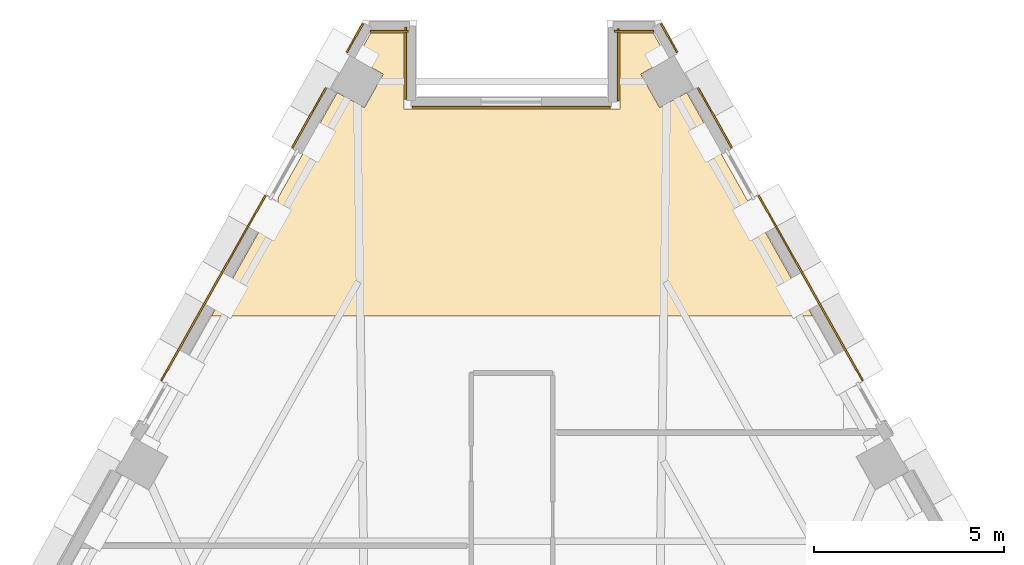
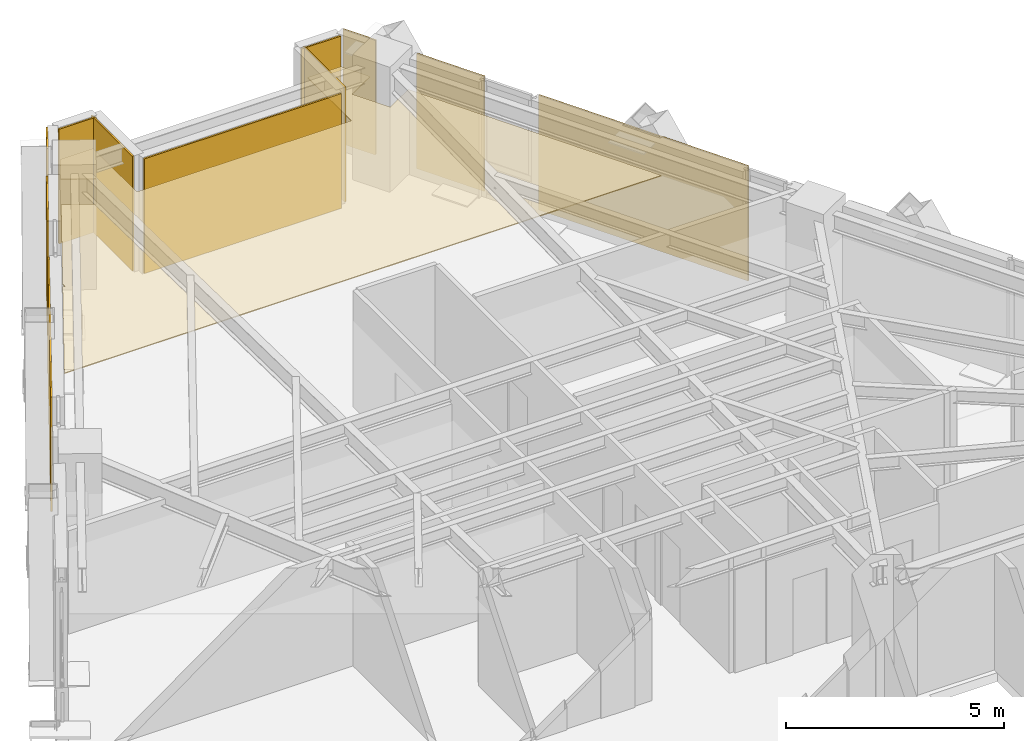
# One storey, part 13 of 13: 12 coverings.
"""IFC4 building model written with IfcOpenShell, lengths in metres."""

from ifc_helpers import new_model, si_unit, direction, frame, origin, place, context, subcontext, project, spatial, polyline, outline, extrude, material, layer, layer_set, type_object, element, save


model = new_model("IFC4")

# Units and contexts
model_context = context("Model", 3, precision=1e-05, world=origin(), true_north=direction((0.0, 1.0)))
body_context = subcontext(model_context, "Body", "Model", "MODEL_VIEW")
ifc_project = project(units=[si_unit("LENGTHUNIT", "METRE"), si_unit("AREAUNIT", "SQUARE_METRE"), si_unit("VOLUMEUNIT", "CUBIC_METRE"), si_unit("PLANEANGLEUNIT", "RADIAN"), si_unit("MASSUNIT", "GRAM", prefix="KILO")], contexts=[model_context])

# Site, building, storey
site_placement = place(None, origin())
site = spatial("IfcSite", under=ifc_project, at=site_placement, CompositionType="ELEMENT")
building_placement = place(site_placement, origin())
building = spatial("IfcBuilding", under=site, at=building_placement, Name="Quenlor Broadcast Tower", CompositionType="ELEMENT")
storey_placement = place(building_placement, frame((0.0, 0.0, 137.0)))
storey = spatial("IfcBuildingStorey", under=building, at=storey_placement, Name="L37", CompositionType="ELEMENT", Elevation=137.0)

# Coverings
ifc_material_1 = material(Name="Acoustic Mineral Fibre Board", Category="other")
ifc_layer_1 = layer(ifc_material_1, 0.02490234375)
ifc_layer_set_1 = layer_set([ifc_layer_1], Name="Acoustic Perforated Mineral Tile Ceiling 25")
covering_type_1 = type_object("IfcCoveringType", Name="Acoustic Perforated Mineral Tile Ceiling 25", PredefinedType="CEILING", material=ifc_layer_set_1)
covering_1_placement = place(storey_placement, frame((0.0, 0.0, 2.375)))
element("IfcCovering", 1, at=covering_1_placement, inside=storey, type_object=covering_type_1, Name="L37 Acoustic Ceiling L37-29-2", PredefinedType="CEILING", context=body_context, shape_type="SweptSolid", body=[
    extrude(outline(polyline([(-6.159912109375, 15.75537109375), (-4.598388671875, 18.53125), (-3.885498046875, 18.13037109375), (-3.387451171875, 19.015869140625), (-4.100341796875, 19.416748046875), (-3.71630859375, 20.10009765625), (-2.840087890625, 20.10009765625), (-2.840087890625, 18.10009765625), (2.840087890625, 18.10009765625), (2.840087890625, 20.10009765625), (3.71630859375, 20.10009765625), (4.100341796875, 19.416748046875), (3.387451171875, 19.015869140625), (3.885498046875, 18.13037109375), (4.598388671875, 18.53125), (7.90673828125, 12.64990234375), (-7.90673828125, 12.64990234375), (-6.20654296875, 15.672607421875), (-6.17333984375, 15.6474609375), (-6.159912109375, 15.6318359375), (-6.159912109375, 15.75537109375)])), origin(), (0.0, 0.0, 1.0), 0.02490234375),
])
ifc_material_2 = material(Name="Architectural Terracotta Ceramic", Category="masonry")
ifc_layer_2 = layer(ifc_material_2, 0.044921875)
ifc_layer_set_2 = layer_set([ifc_layer_2], Name="Fluted Terracotta Rainscreen Cladding Panel")
covering_type_2 = type_object("IfcCoveringType", Name="Fluted Terracotta Rainscreen Cladding Panel", PredefinedType="CLADDING", material=ifc_layer_set_2)
covering_2_placement = place(storey_placement, frame((0.0, 0.0, 0.02001953125)))
element("IfcCovering", 2, at=covering_2_placement, inside=storey, type_object=covering_type_2, Name="L37 Terracotta Rainscreen Cladding L37-SHD-NES0", PredefinedType="CLADDING", context=body_context, shape_type="SweptSolid", body=[
    extrude(outline(polyline([(3.904296875, 20.330810546875), (4.32861328125, 19.576171875), (4.367919921875, 19.59814453125), (3.943359375, 20.352783203125), (3.904296875, 20.330810546875)])), origin(), (0.0, 0.0, 1.0), 3.2099609375),
])
covering_3_placement = place(storey_placement, frame((0.0, 0.0, 0.02001953125)))
element("IfcCovering", 3, at=covering_3_placement, inside=storey, type_object=covering_type_2, Name="L37 Terracotta Rainscreen Cladding L37-NEA-SP1", PredefinedType="CLADDING", context=body_context, shape_type="SweptSolid", body=[
    extrude(outline(polyline([(4.880615234375, 18.635986328125), (5.760986328125, 17.070556640625), (5.80029296875, 17.092529296875), (4.919677734375, 18.657958984375), (4.880615234375, 18.635986328125)])), origin(), (0.0, 0.0, 1.0), 3.2099609375),
])
covering_4_placement = place(storey_placement, frame((0.0, 0.0, 0.02001953125)))
element("IfcCovering", 4, at=covering_4_placement, inside=storey, type_object=covering_type_2, Name="L37 Terracotta Rainscreen Cladding L37-NEA-SP2", PredefinedType="CLADDING", context=body_context, shape_type="SweptSolid", body=[
    extrude(outline(polyline([(6.4716796875, 15.806884765625), (9.208984375, 10.940673828125), (9.248291015625, 10.962646484375), (6.510986328125, 15.8291015625), (6.4716796875, 15.806884765625)])), origin(), (0.0, 0.0, 1.0), 3.2099609375),
])
covering_5_placement = place(storey_placement, frame((0.0, 0.0, 0.02001953125)))
element("IfcCovering", 5, at=covering_5_placement, inside=storey, type_object=covering_type_2, Name="L37 Terracotta Rainscreen Cladding L37-SHD-NWS1", PredefinedType="CLADDING", context=body_context, shape_type="SweptSolid", body=[
    extrude(outline(polyline([(-4.32861328125, 19.576171875), (-3.904296875, 20.330810546875), (-3.943359375, 20.352783203125), (-4.367919921875, 19.59814453125), (-4.32861328125, 19.576171875)])), origin(), (0.0, 0.0, 1.0), 3.2099609375),
])
covering_6_placement = place(storey_placement, frame((0.0, 0.0, 0.02001953125)))
element("IfcCovering", 6, at=covering_6_placement, inside=storey, type_object=covering_type_2, Name="L37 Terracotta Rainscreen Cladding L37-NWC-SP2", PredefinedType="CLADDING", context=body_context, shape_type="SweptSolid", body=[
    extrude(outline(polyline([(-9.208984375, 10.940673828125), (-6.4716796875, 15.806884765625), (-6.510986328125, 15.8291015625), (-9.248291015625, 10.962646484375), (-9.208984375, 10.940673828125)])), origin(), (0.0, 0.0, 1.0), 3.2099609375),
])
covering_7_placement = place(storey_placement, frame((0.0, 0.0, 0.02001953125)))
element("IfcCovering", 7, at=covering_7_placement, inside=storey, type_object=covering_type_2, Name="L37 Terracotta Rainscreen Cladding L37-NWC-SP3", PredefinedType="CLADDING", context=body_context, shape_type="SweptSolid", body=[
    extrude(outline(polyline([(-5.760986328125, 17.070556640625), (-4.880615234375, 18.635986328125), (-4.919677734375, 18.657958984375), (-5.80029296875, 17.092529296875), (-5.760986328125, 17.070556640625)])), origin(), (0.0, 0.0, 1.0), 3.2099609375),
])
covering_8_placement = place(storey_placement, frame((0.0, 0.0, 0.02001953125)))
element("IfcCovering", 8, at=covering_8_placement, inside=storey, type_object=covering_type_2, Name="L37 Terracotta Rainscreen Cladding L37-CNR-06", PredefinedType="CLADDING", context=body_context, shape_type="SweptSolid", body=[
    extrude(outline(polyline([(3.7314453125, 20.16796875), (2.68994140625, 20.16796875), (2.68994140625, 20.123046875), (3.7314453125, 20.123046875), (3.7314453125, 20.16796875)])), origin(), (0.0, 0.0, 1.0), 3.2099609375),
])
covering_9_placement = place(storey_placement, frame((0.0, 0.0, 0.02001953125)))
element("IfcCovering", 9, at=covering_9_placement, inside=storey, type_object=covering_type_2, Name="L37 Terracotta Rainscreen Cladding L37-CNR-07", PredefinedType="CLADDING", context=body_context, shape_type="SweptSolid", body=[
    extrude(outline(polyline([(2.77197265625, 20.2099609375), (2.77197265625, 18.31005859375), (2.81689453125, 18.31005859375), (2.81689453125, 20.2099609375), (2.77197265625, 20.2099609375)])), origin(), (0.0, 0.0, 1.0), 3.2099609375),
])
covering_10_placement = place(storey_placement, frame((0.0, 0.0, 0.02001953125)))
element("IfcCovering", 10, at=covering_10_placement, inside=storey, type_object=covering_type_2, Name="L37 Terracotta Rainscreen Cladding L37-CNR-08", PredefinedType="CLADDING", context=body_context, shape_type="SweptSolid", body=[
    extrude(outline(polyline([(2.590087890625, 18.16796875), (-2.6298828125, 18.16796875), (-2.6298828125, 18.123046875), (2.590087890625, 18.123046875), (2.590087890625, 18.16796875)])), origin(), (0.0, 0.0, 1.0), 3.2099609375),
])
covering_11_placement = place(storey_placement, frame((0.0, 0.0, 0.02001953125)))
element("IfcCovering", 11, at=covering_11_placement, inside=storey, type_object=covering_type_2, Name="L37 Terracotta Rainscreen Cladding L37-CNR-09", PredefinedType="CLADDING", context=body_context, shape_type="SweptSolid", body=[
    extrude(outline(polyline([(-2.77197265625, 18.35009765625), (-2.77197265625, 20.25), (-2.81689453125, 20.25), (-2.81689453125, 18.35009765625), (-2.77197265625, 18.35009765625)])), origin(), (0.0, 0.0, 1.0), 3.2099609375),
])
covering_12_placement = place(storey_placement, frame((0.0, 0.0, 0.02001953125)))
element("IfcCovering", 12, at=covering_12_placement, inside=storey, type_object=covering_type_2, Name="L37 Terracotta Rainscreen Cladding L37-CNR-10", PredefinedType="CLADDING", context=body_context, shape_type="SweptSolid", body=[
    extrude(outline(polyline([(-2.72998046875, 20.16796875), (-3.7314453125, 20.16796875), (-3.7314453125, 20.123046875), (-2.72998046875, 20.123046875), (-2.72998046875, 20.16796875)])), origin(), (0.0, 0.0, 1.0), 3.2099609375),
])

save(model, "model.ifc")
